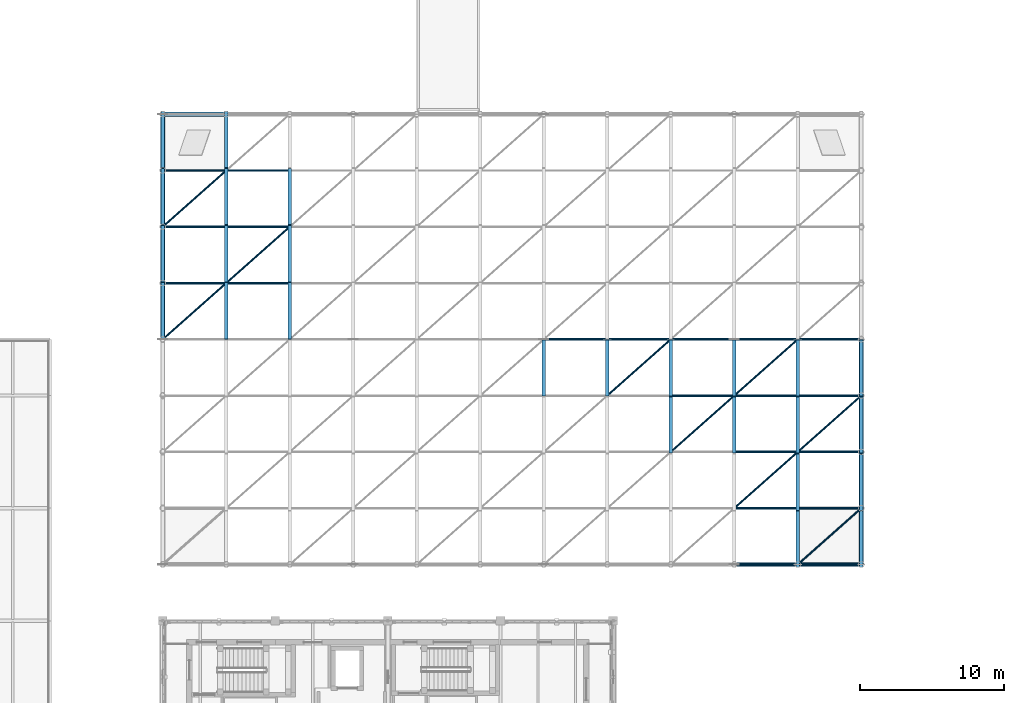
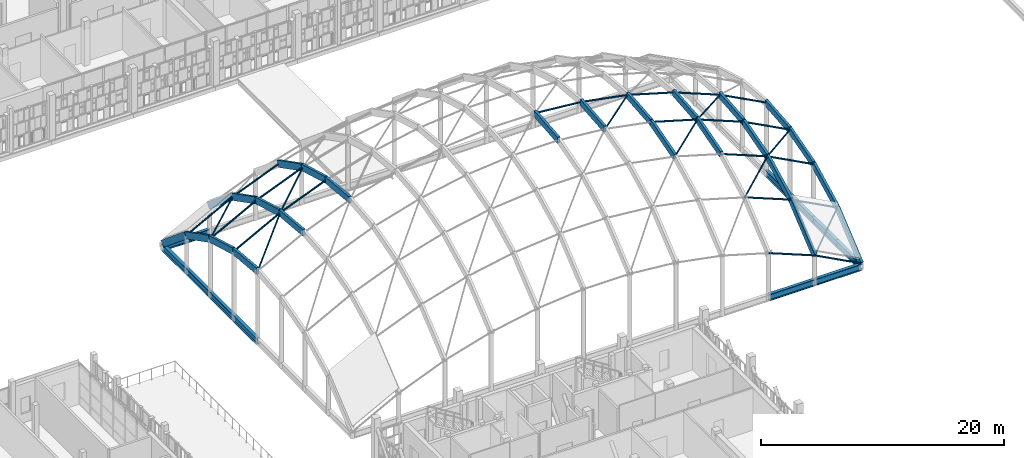
# One storey, part 46 of 119: 54 members, 11 beams.
"""IFC4 building model written with IfcOpenShell, lengths in metres."""

from ifc_helpers import new_model, si_unit, direction, frame, origin, origin_2d, place, context, subcontext, project, spatial, rectangle, hollow_circle, i_section, extrude, material, material_profile, profile_set, type_object, element, save


model = new_model("IFC4")

# Units and contexts
model_context = context("Model", 3, precision=1e-05, world=origin(), true_north=direction((0.0, 1.0)))
body_context = subcontext(model_context, "Body", "Model", "MODEL_VIEW")
ifc_project = project(units=[si_unit("LENGTHUNIT", "METRE"), si_unit("AREAUNIT", "SQUARE_METRE"), si_unit("VOLUMEUNIT", "CUBIC_METRE"), si_unit("PLANEANGLEUNIT", "RADIAN"), si_unit("MASSUNIT", "GRAM", prefix="KILO")], contexts=[model_context])

# Site, building, storey
site_placement = place(None, origin())
site = spatial("IfcSite", under=ifc_project, at=site_placement, CompositionType="ELEMENT")
building_placement = place(site_placement, origin())
building = spatial("IfcBuilding", under=site, at=building_placement, Name="Celorna Specialist Clinic", CompositionType="ELEMENT")
storey_placement = place(building_placement, frame((0.0, 0.0, 9.60009765625)))
storey = spatial("IfcBuildingStorey", under=building, at=storey_placement, Name="L02", CompositionType="ELEMENT", Elevation=9.60009765625)

# Beams
ifc_material_1 = material(Name="Steel S355", Category="steel")
ifc_material_profile_1 = material_profile(ifc_material_1, i_section(OverallWidth=0.300048828125, OverallDepth=0.64990234375, WebThickness=0.01611328125, FlangeThickness=0.031005859375, at=origin_2d()), Name="HE 650 B")
ifc_profile_set_1 = profile_set([ifc_material_profile_1], Name="Steel S355")
beam_type = type_object("IfcBeamType", Name="BM-03", PredefinedType="BEAM", material=ifc_profile_set_1)
beam_1_placement = place(storey_placement, frame((94.199951171875, 46.800048828125, 0.27490234375), z_axis=(1.0, 0.0, 0.0), x_axis=(0.0, 1.0, 0.0)))
element("IfcBeam", 1, at=beam_1_placement, inside=storey, type_object=beam_type, Name="GSH-V1 gridshell perimeter edge ring beam", PredefinedType="BEAM", context=body_context, shape_type="SweptSolid", body=[
    extrude(i_section(OverallWidth=0.300048828125, OverallDepth=0.64990234375, WebThickness=0.01611328125, FlangeThickness=0.031005859375, at=origin_2d()), origin(), (0.0, 0.0, 1.0), 4.400146484375),
])
for number, where, z_axis, x_axis, name in (
    (2, (98.60009765625, 46.800048828125, 0.27490234375), (1.0, 0.0, 0.0), (0.0, 1.0, 0.0), "GSH-V1 gridshell perimeter edge ring beam"),
    (3, (54.60009765625, 78.0, 0.27490234375), (1.0, 0.0, 0.0), (0.0, 1.0, 0.0), "GSH-V1 gridshell perimeter edge ring beam"),
):
    element("IfcBeam", number, at=place(storey_placement, frame(where, z_axis=z_axis, x_axis=x_axis)), inside=storey, type_object=beam_type, Name=name, PredefinedType="BEAM", context=body_context, shape_type="SweptSolid", body=[
        extrude(i_section(OverallWidth=0.300048828125, OverallDepth=0.64990234375, WebThickness=0.01611328125, FlangeThickness=0.031005859375, at=origin_2d()), origin(), (0.0, 0.0, 1.0), 4.39990234375),
    ])
beam_2_placement = place(storey_placement, frame((54.60009765625, 62.39990234375, 0.27490234375), z_axis=(0.0, 1.0, 0.0), x_axis=(-1.0, 0.0, 0.0)))
element("IfcBeam", 4, at=beam_2_placement, inside=storey, type_object=beam_type, Name="GSH-V1 gridshell perimeter edge ring beam", PredefinedType="BEAM", context=body_context, shape_type="SweptSolid", body=[
    extrude(i_section(OverallWidth=0.300048828125, OverallDepth=0.64990234375, WebThickness=0.01611328125, FlangeThickness=0.031005859375, at=origin_2d()), origin(), (0.0, 0.0, 1.0), 3.900146484375),
])
beam_3_placement = place(storey_placement, frame((54.60009765625, 66.300048828125, 0.27490234375), z_axis=(0.0, 1.0, 0.0), x_axis=(-1.0, 0.0, 0.0)))
element("IfcBeam", 5, at=beam_3_placement, inside=storey, type_object=beam_type, Name="GSH-V1 gridshell perimeter edge ring beam", PredefinedType="BEAM", context=body_context, shape_type="SweptSolid", body=[
    extrude(i_section(OverallWidth=0.300048828125, OverallDepth=0.64990234375, WebThickness=0.01611328125, FlangeThickness=0.031005859375, at=origin_2d()), origin(), (0.0, 0.0, 1.0), 3.89990234375),
])
beam_4_placement = place(storey_placement, frame((54.60009765625, 70.199951171875, 0.27490234375), z_axis=(0.0, 1.0, 0.0), x_axis=(-1.0, 0.0, 0.0)))
element("IfcBeam", 6, at=beam_4_placement, inside=storey, type_object=beam_type, Name="GSH-V1 gridshell perimeter edge ring beam", PredefinedType="BEAM", context=body_context, shape_type="SweptSolid", body=[
    extrude(i_section(OverallWidth=0.300048828125, OverallDepth=0.64990234375, WebThickness=0.01611328125, FlangeThickness=0.031005859375, at=origin_2d()), origin(), (0.0, 0.0, 1.0), 3.900146484375),
])
for number, where, z_axis, x_axis, name in (
    (7, (54.60009765625, 74.10009765625, 0.27490234375), (0.0, 1.0, 0.0), (-1.0, 0.0, 0.0), "GSH-V1 gridshell perimeter edge ring beam"),
    (8, (103.0, 46.800048828125, 0.27490234375), (0.0, 1.0, 0.0), (-1.0, 0.0, 0.0), "GSH-V1 gridshell perimeter edge ring beam"),
):
    element("IfcBeam", number, at=place(storey_placement, frame(where, z_axis=z_axis, x_axis=x_axis)), inside=storey, type_object=beam_type, Name=name, PredefinedType="BEAM", context=body_context, shape_type="SweptSolid", body=[
        extrude(i_section(OverallWidth=0.300048828125, OverallDepth=0.64990234375, WebThickness=0.01611328125, FlangeThickness=0.031005859375, at=origin_2d()), origin(), (0.0, 0.0, 1.0), 3.89990234375),
    ])
beam_5_placement = place(storey_placement, frame((103.0, 50.699951171875, 0.27490234375), z_axis=(0.0, 1.0, 0.0), x_axis=(-1.0, 0.0, 0.0)))
element("IfcBeam", 9, at=beam_5_placement, inside=storey, type_object=beam_type, Name="GSH-V1 gridshell perimeter edge ring beam", PredefinedType="BEAM", context=body_context, shape_type="SweptSolid", body=[
    extrude(i_section(OverallWidth=0.300048828125, OverallDepth=0.64990234375, WebThickness=0.01611328125, FlangeThickness=0.031005859375, at=origin_2d()), origin(), (0.0, 0.0, 1.0), 3.900146484375),
])
for number, where, z_axis, x_axis, name in (
    (10, (103.0, 54.60009765625, 0.27490234375), (0.0, 1.0, 0.0), (-1.0, 0.0, 0.0), "GSH-V1 gridshell perimeter edge ring beam"),
    (11, (103.0, 58.5, 0.27490234375), (0.0, 1.0, 0.0), (-1.0, 0.0, 0.0), "GSH-V1 gridshell perimeter edge ring beam"),
):
    element("IfcBeam", number, at=place(storey_placement, frame(where, z_axis=z_axis, x_axis=x_axis)), inside=storey, type_object=beam_type, Name=name, PredefinedType="BEAM", context=body_context, shape_type="SweptSolid", body=[
        extrude(i_section(OverallWidth=0.300048828125, OverallDepth=0.64990234375, WebThickness=0.01611328125, FlangeThickness=0.031005859375, at=origin_2d()), origin(), (0.0, 0.0, 1.0), 3.89990234375),
    ])

# Members
ifc_material_2 = material(Name="Glulam GL28h", Category="wood")
ifc_material_profile_2 = material_profile(ifc_material_2, rectangle(XDim=0.239990234375, YDim=0.639892578125, at=origin_2d()), Name="GL28h 240x640")
ifc_profile_set_2 = profile_set([ifc_material_profile_2], Name="Glulam GL28h")
member_type_1 = type_object("IfcMemberType", Name="MB-01", PredefinedType="RAFTER", material=ifc_profile_set_2)
member_1_placement = place(storey_placement, frame((54.60009765625, 62.39990234375, 7.304931640625), z_axis=(0.0, 0.995844007716, -0.091075311128), x_axis=(-1.0, 0.0, 0.0)))
element("IfcMember", 12, at=member_1_placement, inside=storey, type_object=member_type_1, Name="GSH-V1 glulam gridshell arch rib WP-152-WP-153", PredefinedType="RAFTER", context=body_context, shape_type="SweptSolid", body=[
    extrude(rectangle(XDim=0.239990234375, YDim=0.639892578125, at=origin_2d()), origin(), (0.0, 0.0, 1.0), 3.91650390625),
])
member_2_placement = place(storey_placement, frame((54.60009765625, 66.300048828125, 6.9482421875), z_axis=(0.0, 0.961920605612, -0.273329011448), x_axis=(-1.0, 0.0, 0.0)))
element("IfcMember", 13, at=member_2_placement, inside=storey, type_object=member_type_1, Name="GSH-V1 glulam gridshell arch rib WP-153-WP-154", PredefinedType="RAFTER", context=body_context, shape_type="SweptSolid", body=[
    extrude(rectangle(XDim=0.239990234375, YDim=0.639892578125, at=origin_2d()), origin(), (0.0, 0.0, 1.0), 4.05419921875),
])
member_3_placement = place(storey_placement, frame((54.60009765625, 70.199951171875, 5.840087890625), z_axis=(0.0, 0.89007313801, -0.455817736592), x_axis=(-1.0, 0.0, 0.0)))
element("IfcMember", 14, at=member_3_placement, inside=storey, type_object=member_type_1, Name="GSH-V1 glulam gridshell arch rib WP-154-WP-155", PredefinedType="RAFTER", context=body_context, shape_type="SweptSolid", body=[
    extrude(rectangle(XDim=0.239990234375, YDim=0.639892578125, at=origin_2d()), origin(), (0.0, 0.0, 1.0), 4.3818359375),
])
member_4_placement = place(storey_placement, frame((54.60009765625, 74.10009765625, 3.8427734375), z_axis=(0.0, 0.768899464608, -0.639369700037), x_axis=(-1.0, 0.0, 0.0)))
element("IfcMember", 15, at=member_4_placement, inside=storey, type_object=member_type_1, Name="GSH-V1 glulam gridshell arch rib WP-155-WP-137", PredefinedType="RAFTER", context=body_context, shape_type="SweptSolid", body=[
    extrude(rectangle(XDim=0.239990234375, YDim=0.639892578125, at=origin_2d()), origin(), (0.0, 0.0, 1.0), 5.072021484375),
])
member_5_placement = place(storey_placement, frame((59.0, 62.39990234375, 9.634521484375), z_axis=(0.0, 0.995838352003, -0.091137131182), x_axis=(-1.0, 0.0, 0.0)))
element("IfcMember", 16, at=member_5_placement, inside=storey, type_object=member_type_1, Name="GSH-V1 glulam gridshell arch rib WP-159-WP-160", PredefinedType="RAFTER", context=body_context, shape_type="SweptSolid", body=[
    extrude(rectangle(XDim=0.239990234375, YDim=0.639892578125, at=origin_2d()), origin(), (0.0, 0.0, 1.0), 3.91650390625),
])
member_6_placement = place(storey_placement, frame((59.0, 66.300048828125, 9.277587890625), z_axis=(0.0, 0.961936436795, -0.273273290984), x_axis=(-1.0, 0.0, 0.0)))
element("IfcMember", 17, at=member_6_placement, inside=storey, type_object=member_type_1, Name="GSH-V1 glulam gridshell arch rib WP-160-WP-161", PredefinedType="RAFTER", context=body_context, shape_type="SweptSolid", body=[
    extrude(rectangle(XDim=0.239990234375, YDim=0.639892578125, at=origin_2d()), origin(), (0.0, 0.0, 1.0), 4.05419921875),
])
member_7_placement = place(storey_placement, frame((59.0, 70.199951171875, 8.169677734375), z_axis=(0.0, 0.890050532634, -0.455861875306), x_axis=(-1.0, 0.0, 0.0)))
element("IfcMember", 18, at=member_7_placement, inside=storey, type_object=member_type_1, Name="GSH-V1 glulam gridshell arch rib WP-161-WP-162", PredefinedType="RAFTER", context=body_context, shape_type="SweptSolid", body=[
    extrude(rectangle(XDim=0.239990234375, YDim=0.639892578125, at=origin_2d()), origin(), (0.0, 0.0, 1.0), 4.3818359375),
])
member_8_placement = place(storey_placement, frame((59.0, 74.10009765625, 6.172119140625), z_axis=(0.0, 0.768923128228, -0.639341241338), x_axis=(-1.0, 0.0, 0.0)))
element("IfcMember", 19, at=member_8_placement, inside=storey, type_object=member_type_1, Name="GSH-V1 glulam gridshell arch rib WP-162-WP-138", PredefinedType="RAFTER", context=body_context, shape_type="SweptSolid", body=[
    extrude(rectangle(XDim=0.239990234375, YDim=0.639892578125, at=origin_2d()), origin(), (0.0, 0.0, 1.0), 5.072021484375),
])
member_9_placement = place(storey_placement, frame((63.39990234375, 62.39990234375, 11.410400390625), z_axis=(0.0, 0.995844007716, -0.091075311128), x_axis=(-1.0, 0.0, 0.0)))
element("IfcMember", 20, at=member_9_placement, inside=storey, type_object=member_type_1, Name="GSH-V1 glulam gridshell arch rib WP-166-WP-167", PredefinedType="RAFTER", context=body_context, shape_type="SweptSolid", body=[
    extrude(rectangle(XDim=0.239990234375, YDim=0.639892578125, at=origin_2d()), origin(), (0.0, 0.0, 1.0), 3.91650390625),
])
member_10_placement = place(storey_placement, frame((63.39990234375, 66.300048828125, 11.0537109375), z_axis=(0.0, 0.961920605612, -0.273329011448), x_axis=(-1.0, 0.0, 0.0)))
element("IfcMember", 21, at=member_10_placement, inside=storey, type_object=member_type_1, Name="GSH-V1 glulam gridshell arch rib WP-167-WP-168", PredefinedType="RAFTER", context=body_context, shape_type="SweptSolid", body=[
    extrude(rectangle(XDim=0.239990234375, YDim=0.639892578125, at=origin_2d()), origin(), (0.0, 0.0, 1.0), 4.05419921875),
])
member_11_placement = place(storey_placement, frame((63.39990234375, 70.199951171875, 9.945556640625), z_axis=(0.0, 0.890050532634, -0.455861875306), x_axis=(-1.0, 0.0, 0.0)))
element("IfcMember", 22, at=member_11_placement, inside=storey, type_object=member_type_1, Name="GSH-V1 glulam gridshell arch rib WP-168-WP-169", PredefinedType="RAFTER", context=body_context, shape_type="SweptSolid", body=[
    extrude(rectangle(XDim=0.239990234375, YDim=0.639892578125, at=origin_2d()), origin(), (0.0, 0.0, 1.0), 4.3818359375),
])
for number, where, z_axis, x_axis, name in (
    (23, (81.0, 58.5, 13.591796875), (0.0, 0.995843490594, 0.091080965304), (-1.0, 0.0, 0.0), "GSH-V1 glulam gridshell arch rib WP-193-WP-194"),
    (24, (85.39990234375, 58.5, 13.178466796875), (0.0, 0.995849143232, 0.091019140423), (-1.0, 0.0, 0.0), "GSH-V1 glulam gridshell arch rib WP-200-WP-201"),
):
    element("IfcMember", number, at=place(storey_placement, frame(where, z_axis=z_axis, x_axis=x_axis)), inside=storey, type_object=member_type_1, Name=name, PredefinedType="RAFTER", context=body_context, shape_type="SweptSolid", body=[
        extrude(rectangle(XDim=0.239990234375, YDim=0.639892578125, at=origin_2d()), origin(), (0.0, 0.0, 1.0), 3.916259765625),
    ])
member_12_placement = place(storey_placement, frame((89.800048828125, 54.60009765625, 11.232177734375), z_axis=(0.0, 0.961920605612, 0.273329011448), x_axis=(-1.0, 0.0, 0.0)))
element("IfcMember", 25, at=member_12_placement, inside=storey, type_object=member_type_1, Name="GSH-V1 glulam gridshell arch rib WP-206-WP-207", PredefinedType="RAFTER", context=body_context, shape_type="SweptSolid", body=[
    extrude(rectangle(XDim=0.239990234375, YDim=0.639892578125, at=origin_2d()), origin(), (0.0, 0.0, 1.0), 4.05419921875),
])
member_13_placement = place(storey_placement, frame((89.800048828125, 58.5, 12.34033203125), z_axis=(0.0, 0.995843490594, 0.091080965304), x_axis=(-1.0, 0.0, 0.0)))
element("IfcMember", 26, at=member_13_placement, inside=storey, type_object=member_type_1, Name="GSH-V1 glulam gridshell arch rib WP-207-WP-208", PredefinedType="RAFTER", context=body_context, shape_type="SweptSolid", body=[
    extrude(rectangle(XDim=0.239990234375, YDim=0.639892578125, at=origin_2d()), origin(), (0.0, 0.0, 1.0), 3.916259765625),
])
member_14_placement = place(storey_placement, frame((94.199951171875, 54.60009765625, 9.945556640625), z_axis=(0.0, 0.961920605612, 0.273329011448), x_axis=(-1.0, 0.0, 0.0)))
element("IfcMember", 27, at=member_14_placement, inside=storey, type_object=member_type_1, Name="GSH-V1 glulam gridshell arch rib WP-213-WP-214", PredefinedType="RAFTER", context=body_context, shape_type="SweptSolid", body=[
    extrude(rectangle(XDim=0.239990234375, YDim=0.639892578125, at=origin_2d()), origin(), (0.0, 0.0, 1.0), 4.05419921875),
])
member_15_placement = place(storey_placement, frame((94.199951171875, 58.5, 11.0537109375), z_axis=(0.0, 0.995843490594, 0.091080965304), x_axis=(-1.0, 0.0, 0.0)))
element("IfcMember", 28, at=member_15_placement, inside=storey, type_object=member_type_1, Name="GSH-V1 glulam gridshell arch rib WP-214-WP-215", PredefinedType="RAFTER", context=body_context, shape_type="SweptSolid", body=[
    extrude(rectangle(XDim=0.239990234375, YDim=0.639892578125, at=origin_2d()), origin(), (0.0, 0.0, 1.0), 3.916259765625),
])
member_16_placement = place(storey_placement, frame((98.60009765625, 46.800048828125, 2.929443359375), z_axis=(0.0, 0.768923128228, 0.639341241338), x_axis=(-1.0, 0.0, 0.0)))
element("IfcMember", 29, at=member_16_placement, inside=storey, type_object=member_type_1, Name="GSH-V1 glulam gridshell arch rib WP-135-WP-219", PredefinedType="RAFTER", context=body_context, shape_type="SweptSolid", body=[
    extrude(rectangle(XDim=0.239990234375, YDim=0.639892578125, at=origin_2d()), origin(), (0.0, 0.0, 1.0), 5.072021484375),
])
member_17_placement = place(storey_placement, frame((98.60009765625, 50.699951171875, 6.172119140625), z_axis=(0.0, 0.890050532634, 0.455861875306), x_axis=(-1.0, 0.0, 0.0)))
element("IfcMember", 30, at=member_17_placement, inside=storey, type_object=member_type_1, Name="GSH-V1 glulam gridshell arch rib WP-219-WP-220", PredefinedType="RAFTER", context=body_context, shape_type="SweptSolid", body=[
    extrude(rectangle(XDim=0.239990234375, YDim=0.639892578125, at=origin_2d()), origin(), (0.0, 0.0, 1.0), 4.3818359375),
])
member_18_placement = place(storey_placement, frame((98.60009765625, 54.60009765625, 8.169677734375), z_axis=(0.0, 0.961936436795, 0.273273290984), x_axis=(-1.0, 0.0, 0.0)))
element("IfcMember", 31, at=member_18_placement, inside=storey, type_object=member_type_1, Name="GSH-V1 glulam gridshell arch rib WP-220-WP-221", PredefinedType="RAFTER", context=body_context, shape_type="SweptSolid", body=[
    extrude(rectangle(XDim=0.239990234375, YDim=0.639892578125, at=origin_2d()), origin(), (0.0, 0.0, 1.0), 4.05419921875),
])
member_19_placement = place(storey_placement, frame((98.60009765625, 58.5, 9.277587890625), z_axis=(0.0, 0.995837834183, 0.091142789131), x_axis=(-1.0, 0.0, 0.0)))
element("IfcMember", 32, at=member_19_placement, inside=storey, type_object=member_type_1, Name="GSH-V1 glulam gridshell arch rib WP-221-WP-222", PredefinedType="RAFTER", context=body_context, shape_type="SweptSolid", body=[
    extrude(rectangle(XDim=0.239990234375, YDim=0.639892578125, at=origin_2d()), origin(), (0.0, 0.0, 1.0), 3.916259765625),
])
member_20_placement = place(storey_placement, frame((103.0, 46.800048828125, 0.599853515625), z_axis=(0.0, 0.768899464608, 0.639369700037), x_axis=(-1.0, 0.0, 0.0)))
element("IfcMember", 33, at=member_20_placement, inside=storey, type_object=member_type_1, Name="GSH-V1 glulam gridshell arch rib WP-136-WP-226", PredefinedType="RAFTER", context=body_context, shape_type="SweptSolid", body=[
    extrude(rectangle(XDim=0.239990234375, YDim=0.639892578125, at=origin_2d()), origin(), (0.0, 0.0, 1.0), 5.072021484375),
])
member_21_placement = place(storey_placement, frame((103.0, 50.699951171875, 3.8427734375), z_axis=(0.0, 0.89007313801, 0.455817736592), x_axis=(-1.0, 0.0, 0.0)))
element("IfcMember", 34, at=member_21_placement, inside=storey, type_object=member_type_1, Name="GSH-V1 glulam gridshell arch rib WP-226-WP-227", PredefinedType="RAFTER", context=body_context, shape_type="SweptSolid", body=[
    extrude(rectangle(XDim=0.239990234375, YDim=0.639892578125, at=origin_2d()), origin(), (0.0, 0.0, 1.0), 4.3818359375),
])
member_22_placement = place(storey_placement, frame((103.0, 54.60009765625, 5.840087890625), z_axis=(0.0, 0.961920605612, 0.273329011448), x_axis=(-1.0, 0.0, 0.0)))
element("IfcMember", 35, at=member_22_placement, inside=storey, type_object=member_type_1, Name="GSH-V1 glulam gridshell arch rib WP-227-WP-228", PredefinedType="RAFTER", context=body_context, shape_type="SweptSolid", body=[
    extrude(rectangle(XDim=0.239990234375, YDim=0.639892578125, at=origin_2d()), origin(), (0.0, 0.0, 1.0), 4.05419921875),
])
member_23_placement = place(storey_placement, frame((103.0, 58.5, 6.9482421875), z_axis=(0.0, 0.995843490594, 0.091080965304), x_axis=(-1.0, 0.0, 0.0)))
element("IfcMember", 36, at=member_23_placement, inside=storey, type_object=member_type_1, Name="GSH-V1 glulam gridshell arch rib WP-228-WP-229", PredefinedType="RAFTER", context=body_context, shape_type="SweptSolid", body=[
    extrude(rectangle(XDim=0.239990234375, YDim=0.639892578125, at=origin_2d()), origin(), (0.0, 0.0, 1.0), 3.916259765625),
])
ifc_material_profile_3 = material_profile(ifc_material_1, hollow_circle(Radius=0.084228515625, WallThickness=0.010009765625, at=origin_2d()), Name="CHS 168.3x10")
ifc_profile_set_3 = profile_set([ifc_material_profile_3], Name="Steel S355")
member_type_2 = type_object("IfcMemberType", Name="MB-03", PredefinedType="PURLIN", material=ifc_profile_set_3)
member_24_placement = place(storey_placement, frame((94.199951171875, 46.800048828125, 4.705322265625), z_axis=(0.927322552117, 0.0, -0.374263121794), x_axis=(0.0, 1.0, 0.0)))
element("IfcMember", 37, at=member_24_placement, inside=storey, type_object=member_type_2, Name="GSH-V1 gridshell edge arch chord WP-134-WP-135", PredefinedType="PURLIN", context=body_context, shape_type="SweptSolid", body=[
    extrude(hollow_circle(Radius=0.084228515625, WallThickness=0.010009765625, at=origin_2d()), origin(), (0.0, 0.0, 1.0), 4.7451171875),
])
member_25_placement = place(storey_placement, frame((98.60009765625, 46.800048828125, 2.929443359375), z_axis=(0.883768830423, 0.0, -0.467923769831), x_axis=(0.0, 1.0, 0.0)))
element("IfcMember", 38, at=member_25_placement, inside=storey, type_object=member_type_2, Name="GSH-V1 gridshell edge arch chord WP-135-WP-136", PredefinedType="PURLIN", context=body_context, shape_type="SweptSolid", body=[
    extrude(hollow_circle(Radius=0.084228515625, WallThickness=0.010009765625, at=origin_2d()), origin(), (0.0, 0.0, 1.0), 4.978515625),
])
member_26_placement = place(storey_placement, frame((94.199951171875, 50.699951171875, 7.947998046875), z_axis=(0.927322552117, 0.0, -0.374263121794), x_axis=(0.0, 1.0, 0.0)))
element("IfcMember", 39, at=member_26_placement, inside=storey, type_object=member_type_2, Name="GSH-V1 gridshell steel purlin WP-212-WP-219", PredefinedType="PURLIN", context=body_context, shape_type="SweptSolid", body=[
    extrude(hollow_circle(Radius=0.084228515625, WallThickness=0.010009765625, at=origin_2d()), origin(), (0.0, 0.0, 1.0), 4.7451171875),
])
member_27_placement = place(storey_placement, frame((98.60009765625, 50.699951171875, 6.172119140625), z_axis=(0.883789109196, 0.0, -0.467885467253), x_axis=(0.0, 1.0, 0.0)))
element("IfcMember", 40, at=member_27_placement, inside=storey, type_object=member_type_2, Name="GSH-V1 gridshell steel purlin WP-219-WP-226", PredefinedType="PURLIN", context=body_context, shape_type="SweptSolid", body=[
    extrude(hollow_circle(Radius=0.084228515625, WallThickness=0.010009765625, at=origin_2d()), origin(), (0.0, 0.0, 1.0), 4.978515625),
])
member_28_placement = place(storey_placement, frame((94.199951171875, 54.60009765625, 9.945556640625), z_axis=(0.927322552117, 0.0, -0.374263121794), x_axis=(0.0, 1.0, 0.0)))
element("IfcMember", 41, at=member_28_placement, inside=storey, type_object=member_type_2, Name="GSH-V1 gridshell steel purlin WP-213-WP-220", PredefinedType="PURLIN", context=body_context, shape_type="SweptSolid", body=[
    extrude(hollow_circle(Radius=0.084228515625, WallThickness=0.010009765625, at=origin_2d()), origin(), (0.0, 0.0, 1.0), 4.7451171875),
])
member_29_placement = place(storey_placement, frame((98.60009765625, 54.60009765625, 8.169677734375), z_axis=(0.883768830423, 0.0, -0.467923769831), x_axis=(0.0, 1.0, 0.0)))
element("IfcMember", 42, at=member_29_placement, inside=storey, type_object=member_type_2, Name="GSH-V1 gridshell steel purlin WP-220-WP-227", PredefinedType="PURLIN", context=body_context, shape_type="SweptSolid", body=[
    extrude(hollow_circle(Radius=0.084228515625, WallThickness=0.010009765625, at=origin_2d()), origin(), (0.0, 0.0, 1.0), 4.978515625),
])
member_30_placement = place(storey_placement, frame((89.800048828125, 58.5, 12.34033203125), z_axis=(0.959805314986, 0.0, -0.280666630229), x_axis=(0.0, 1.0, 0.0)))
element("IfcMember", 43, at=member_30_placement, inside=storey, type_object=member_type_2, Name="GSH-V1 gridshell steel purlin WP-207-WP-214", PredefinedType="PURLIN", context=body_context, shape_type="SweptSolid", body=[
    extrude(hollow_circle(Radius=0.084228515625, WallThickness=0.010009765625, at=origin_2d()), origin(), (0.0, 0.0, 1.0), 4.584228515625),
])
member_31_placement = place(storey_placement, frame((94.199951171875, 58.5, 11.0537109375), z_axis=(0.927304694278, 0.0, -0.374307365637), x_axis=(0.0, 1.0, 0.0)))
element("IfcMember", 44, at=member_31_placement, inside=storey, type_object=member_type_2, Name="GSH-V1 gridshell steel purlin WP-214-WP-221", PredefinedType="PURLIN", context=body_context, shape_type="SweptSolid", body=[
    extrude(hollow_circle(Radius=0.084228515625, WallThickness=0.010009765625, at=origin_2d()), origin(), (0.0, 0.0, 1.0), 4.7451171875),
])
member_32_placement = place(storey_placement, frame((98.60009765625, 58.5, 9.277587890625), z_axis=(0.883789109196, 0.0, -0.467885467253), x_axis=(0.0, 1.0, 0.0)))
element("IfcMember", 45, at=member_32_placement, inside=storey, type_object=member_type_2, Name="GSH-V1 gridshell steel purlin WP-221-WP-228", PredefinedType="PURLIN", context=body_context, shape_type="SweptSolid", body=[
    extrude(hollow_circle(Radius=0.084228515625, WallThickness=0.010009765625, at=origin_2d()), origin(), (0.0, 0.0, 1.0), 4.978515625),
])
member_33_placement = place(storey_placement, frame((81.0, 62.39990234375, 13.948486328125), z_axis=(0.995611414177, 0.0, -0.093583716325), x_axis=(0.0, 1.0, 0.0)))
element("IfcMember", 46, at=member_33_placement, inside=storey, type_object=member_type_2, Name="GSH-V1 gridshell steel purlin WP-194-WP-201", PredefinedType="PURLIN", context=body_context, shape_type="SweptSolid", body=[
    extrude(hollow_circle(Radius=0.084228515625, WallThickness=0.010009765625, at=origin_2d()), origin(), (0.0, 0.0, 1.0), 4.419189453125),
])
member_34_placement = place(storey_placement, frame((85.39990234375, 62.39990234375, 13.534912109375), z_axis=(0.982348106546, 0.0, -0.187062015295), x_axis=(0.0, 1.0, 0.0)))
element("IfcMember", 47, at=member_34_placement, inside=storey, type_object=member_type_2, Name="GSH-V1 gridshell steel purlin WP-201-WP-208", PredefinedType="PURLIN", context=body_context, shape_type="SweptSolid", body=[
    extrude(hollow_circle(Radius=0.084228515625, WallThickness=0.010009765625, at=origin_2d()), origin(), (0.0, 0.0, 1.0), 4.479248046875),
])
member_35_placement = place(storey_placement, frame((89.800048828125, 62.39990234375, 12.697021484375), z_axis=(0.959805314986, 0.0, -0.280666630229), x_axis=(0.0, 1.0, 0.0)))
element("IfcMember", 48, at=member_35_placement, inside=storey, type_object=member_type_2, Name="GSH-V1 gridshell steel purlin WP-208-WP-215", PredefinedType="PURLIN", context=body_context, shape_type="SweptSolid", body=[
    extrude(hollow_circle(Radius=0.084228515625, WallThickness=0.010009765625, at=origin_2d()), origin(), (0.0, 0.0, 1.0), 4.584228515625),
])
member_36_placement = place(storey_placement, frame((94.199951171875, 62.39990234375, 11.410400390625), z_axis=(0.927322552117, 0.0, -0.374263121794), x_axis=(0.0, 1.0, 0.0)))
element("IfcMember", 49, at=member_36_placement, inside=storey, type_object=member_type_2, Name="GSH-V1 gridshell steel purlin WP-215-WP-222", PredefinedType="PURLIN", context=body_context, shape_type="SweptSolid", body=[
    extrude(hollow_circle(Radius=0.084228515625, WallThickness=0.010009765625, at=origin_2d()), origin(), (0.0, 0.0, 1.0), 4.7451171875),
])
for number, where, z_axis, x_axis, name in (
    (50, (98.60009765625, 62.39990234375, 9.634521484375), (0.883768830423, 0.0, -0.467923769831), (0.0, 1.0, 0.0), "GSH-V1 gridshell steel purlin WP-222-WP-229"),
    (51, (54.60009765625, 66.300048828125, 6.9482421875), (0.883789109196, 0.0, 0.467885467253), (0.0, 1.0, 0.0), "GSH-V1 gridshell steel purlin WP-153-WP-160"),
):
    element("IfcMember", number, at=place(storey_placement, frame(where, z_axis=z_axis, x_axis=x_axis)), inside=storey, type_object=member_type_2, Name=name, PredefinedType="PURLIN", context=body_context, shape_type="SweptSolid", body=[
        extrude(hollow_circle(Radius=0.084228515625, WallThickness=0.010009765625, at=origin_2d()), origin(), (0.0, 0.0, 1.0), 4.978515625),
    ])
member_37_placement = place(storey_placement, frame((59.0, 66.300048828125, 9.277587890625), z_axis=(0.927297485142, 0.0, 0.37432522497), x_axis=(0.0, 1.0, 0.0)))
element("IfcMember", 52, at=member_37_placement, inside=storey, type_object=member_type_2, Name="GSH-V1 gridshell steel purlin WP-160-WP-167", PredefinedType="PURLIN", context=body_context, shape_type="SweptSolid", body=[
    extrude(hollow_circle(Radius=0.084228515625, WallThickness=0.010009765625, at=origin_2d()), origin(), (0.0, 0.0, 1.0), 4.744873046875),
])
member_38_placement = place(storey_placement, frame((54.60009765625, 70.199951171875, 5.840087890625), z_axis=(0.883768830423, 0.0, 0.467923769831), x_axis=(0.0, 1.0, 0.0)))
element("IfcMember", 53, at=member_38_placement, inside=storey, type_object=member_type_2, Name="GSH-V1 gridshell steel purlin WP-154-WP-161", PredefinedType="PURLIN", context=body_context, shape_type="SweptSolid", body=[
    extrude(hollow_circle(Radius=0.084228515625, WallThickness=0.010009765625, at=origin_2d()), origin(), (0.0, 0.0, 1.0), 4.978515625),
])
member_39_placement = place(storey_placement, frame((59.0, 70.199951171875, 8.169677734375), z_axis=(0.927315344547, 0.0, 0.374280979704), x_axis=(0.0, 1.0, 0.0)))
element("IfcMember", 54, at=member_39_placement, inside=storey, type_object=member_type_2, Name="GSH-V1 gridshell steel purlin WP-161-WP-168", PredefinedType="PURLIN", context=body_context, shape_type="SweptSolid", body=[
    extrude(hollow_circle(Radius=0.084228515625, WallThickness=0.010009765625, at=origin_2d()), origin(), (0.0, 0.0, 1.0), 4.744873046875),
])
member_40_placement = place(storey_placement, frame((54.60009765625, 74.10009765625, 3.8427734375), z_axis=(0.883789109196, 0.0, 0.467885467253), x_axis=(0.0, 1.0, 0.0)))
element("IfcMember", 55, at=member_40_placement, inside=storey, type_object=member_type_2, Name="GSH-V1 gridshell steel purlin WP-155-WP-162", PredefinedType="PURLIN", context=body_context, shape_type="SweptSolid", body=[
    extrude(hollow_circle(Radius=0.084228515625, WallThickness=0.010009765625, at=origin_2d()), origin(), (0.0, 0.0, 1.0), 4.978515625),
])
member_41_placement = place(storey_placement, frame((59.0, 74.10009765625, 6.172119140625), z_axis=(0.927315344547, 0.0, 0.374280979704), x_axis=(0.0, 1.0, 0.0)))
element("IfcMember", 56, at=member_41_placement, inside=storey, type_object=member_type_2, Name="GSH-V1 gridshell steel purlin WP-162-WP-169", PredefinedType="PURLIN", context=body_context, shape_type="SweptSolid", body=[
    extrude(hollow_circle(Radius=0.084228515625, WallThickness=0.010009765625, at=origin_2d()), origin(), (0.0, 0.0, 1.0), 4.744873046875),
])
ifc_material_profile_4 = material_profile(ifc_material_1, hollow_circle(Radius=0.06982421875, WallThickness=0.008056640625, at=origin_2d()), Name="CHS 139.7x8")
ifc_profile_set_4 = profile_set([ifc_material_profile_4], Name="Steel S355")
member_type_3 = type_object("IfcMemberType", Name="MB-08", PredefinedType="BRACE", material=ifc_profile_set_4)
member_42_placement = place(storey_placement, frame((54.60009765625, 62.39990234375, 7.304931640625), z_axis=(0.709461851982, 0.628878764034, 0.318080777051), x_axis=(-0.663329710865, 0.748327264426, 0.0)))
element("IfcMember", 57, at=member_42_placement, inside=storey, type_object=member_type_3, Name="GSH-V1 gridshell shell brace WP-152-WP-160", PredefinedType="BRACE", context=body_context, shape_type="SweptSolid", body=[
    extrude(hollow_circle(Radius=0.06982421875, WallThickness=0.008056640625, at=origin_2d()), origin(), (0.0, 0.0, 1.0), 6.20166015625),
])
member_43_placement = place(storey_placement, frame((54.60009765625, 70.199951171875, 5.840087890625), z_axis=(0.747136901627, 0.662274553517, 0.056381433038), x_axis=(-0.663329710865, 0.748327264426, 0.0)))
element("IfcMember", 58, at=member_43_placement, inside=storey, type_object=member_type_3, Name="GSH-V1 gridshell shell brace WP-154-WP-162", PredefinedType="BRACE", context=body_context, shape_type="SweptSolid", body=[
    extrude(hollow_circle(Radius=0.06982421875, WallThickness=0.008056640625, at=origin_2d()), origin(), (0.0, 0.0, 1.0), 5.888916015625),
])
member_44_placement = place(storey_placement, frame((59.0, 66.300048828125, 9.277587890625), z_axis=(0.743564579399, 0.659066729071, 0.112883846922), x_axis=(-0.663306457294, 0.748347876133, 0.0)))
element("IfcMember", 59, at=member_44_placement, inside=storey, type_object=member_type_3, Name="GSH-V1 gridshell shell brace WP-160-WP-168", PredefinedType="BRACE", context=body_context, shape_type="SweptSolid", body=[
    extrude(hollow_circle(Radius=0.06982421875, WallThickness=0.008056640625, at=origin_2d()), origin(), (0.0, 0.0, 1.0), 5.917236328125),
])
member_45_placement = place(storey_placement, frame((85.39990234375, 58.5, 13.178466796875), z_axis=(0.745869856034, 0.661073355173, -0.081609907124), x_axis=(-0.66328584577, 0.748366144879, 0.0)))
element("IfcMember", 60, at=member_45_placement, inside=storey, type_object=member_type_3, Name="GSH-V1 gridshell shell brace WP-200-WP-208", PredefinedType="BRACE", context=body_context, shape_type="SweptSolid", body=[
    extrude(hollow_circle(Radius=0.06982421875, WallThickness=0.008056640625, at=origin_2d()), origin(), (0.0, 0.0, 1.0), 5.8994140625),
])
member_46_placement = place(storey_placement, frame((89.800048828125, 54.60009765625, 11.232177734375), z_axis=(0.748003360134, 0.663001091709, -0.030340165146), x_axis=(-0.663306457294, 0.748347876133, 0.0)))
element("IfcMember", 61, at=member_46_placement, inside=storey, type_object=member_type_3, Name="GSH-V1 gridshell shell brace WP-206-WP-214", PredefinedType="BRACE", context=body_context, shape_type="SweptSolid", body=[
    extrude(hollow_circle(Radius=0.06982421875, WallThickness=0.008056640625, at=origin_2d()), origin(), (0.0, 0.0, 1.0), 5.882080078125),
])
member_47_placement = place(storey_placement, frame((94.199951171875, 50.699951171875, 7.947998046875), z_axis=(0.747814244289, 0.662838181907, 0.037674933907), x_axis=(-0.663309099754, 0.748345533951, 0.0)))
element("IfcMember", 62, at=member_47_placement, inside=storey, type_object=member_type_3, Name="GSH-V1 gridshell shell brace WP-212-WP-220", PredefinedType="BRACE", context=body_context, shape_type="SweptSolid", body=[
    extrude(hollow_circle(Radius=0.06982421875, WallThickness=0.008056640625, at=origin_2d()), origin(), (0.0, 0.0, 1.0), 5.884033203125),
])
member_48_placement = place(storey_placement, frame((94.199951171875, 58.5, 11.0537109375), z_axis=(0.727474583324, 0.644769405428, -0.234634064965), x_axis=(-0.66328584577, 0.748366144879, 0.0)))
element("IfcMember", 63, at=member_48_placement, inside=storey, type_object=member_type_3, Name="GSH-V1 gridshell shell brace WP-214-WP-222", PredefinedType="BRACE", context=body_context, shape_type="SweptSolid", body=[
    extrude(hollow_circle(Radius=0.06982421875, WallThickness=0.008056640625, at=origin_2d()), origin(), (0.0, 0.0, 1.0), 6.048583984375),
])
member_49_placement = place(storey_placement, frame((98.60009765625, 46.800048828125, 2.929443359375), z_axis=(0.739478855405, 0.6554453022, 0.153500743429), x_axis=(-0.663306457294, 0.748347876133, 0.0)))
element("IfcMember", 64, at=member_49_placement, inside=storey, type_object=member_type_3, Name="GSH-V1 gridshell shell brace WP-135-WP-226", PredefinedType="BRACE", context=body_context, shape_type="SweptSolid", body=[
    extrude(hollow_circle(Radius=0.06982421875, WallThickness=0.008056640625, at=origin_2d()), origin(), (0.0, 0.0, 1.0), 5.949951171875),
])
member_50_placement = place(storey_placement, frame((98.60009765625, 54.60009765625, 8.169677734375), z_axis=(0.732703840101, 0.649440192086, -0.203402358896), x_axis=(-0.663306457294, 0.748347876133, 0.0)))
element("IfcMember", 65, at=member_50_placement, inside=storey, type_object=member_type_3, Name="GSH-V1 gridshell shell brace WP-220-WP-228", PredefinedType="BRACE", context=body_context, shape_type="SweptSolid", body=[
    extrude(hollow_circle(Radius=0.06982421875, WallThickness=0.008056640625, at=origin_2d()), origin(), (0.0, 0.0, 1.0), 6.005126953125),
])

save(model, "model.ifc")
